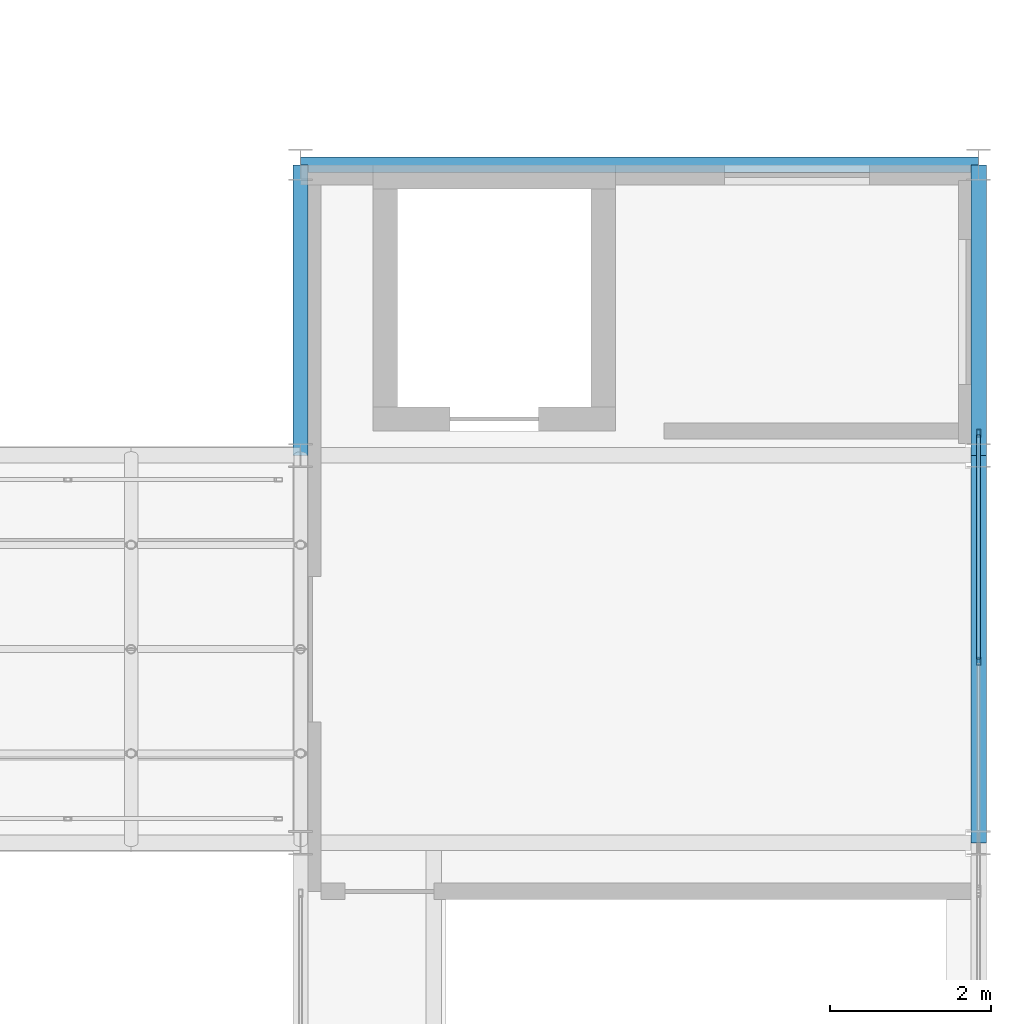
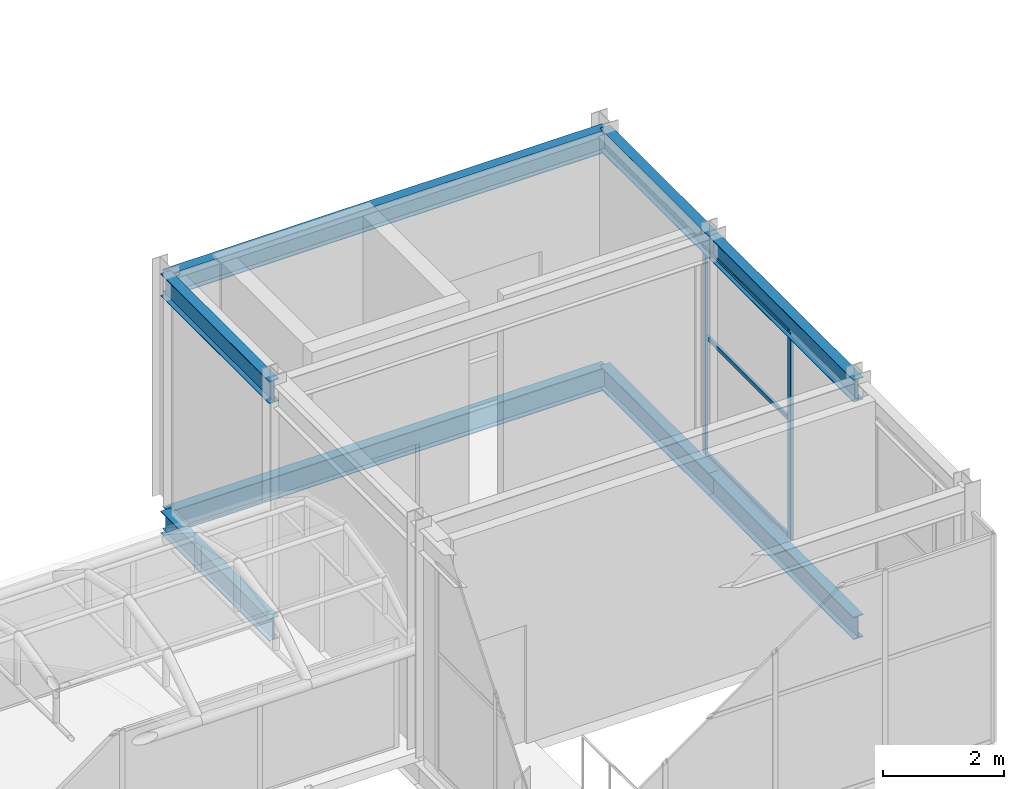
# One storey, part 107 of 167: 8 beams, 5 members, 1 element without a shape of its own.
"""IFC4 building model written with IfcOpenShell, lengths in metres."""

from ifc_helpers import new_model, si_unit, direction, frame, origin, origin_2d, place, context, subcontext, project, spatial, hollow_rectangle, i_section, extrude, material, material_profile, profile_set, type_object, element, aggregate, save


model = new_model("IFC4")

# Units and contexts
model_context = context("Model", 3, precision=1e-05, world=origin(), true_north=direction((0.0, 1.0)))
body_context = subcontext(model_context, "Body", "Model", "MODEL_VIEW")
ifc_project = project(units=[si_unit("LENGTHUNIT", "METRE"), si_unit("AREAUNIT", "SQUARE_METRE"), si_unit("VOLUMEUNIT", "CUBIC_METRE"), si_unit("PLANEANGLEUNIT", "RADIAN"), si_unit("MASSUNIT", "GRAM", prefix="KILO")], contexts=[model_context])

# Site, building, storey
site_placement = place(None, origin())
site = spatial("IfcSite", under=ifc_project, at=site_placement, CompositionType="ELEMENT")
building_placement = place(site_placement, origin())
building = spatial("IfcBuilding", under=site, at=building_placement, Name="Catenary Quay Ferry Terminal", CompositionType="ELEMENT")
storey_placement = place(building_placement, frame((0.0, 0.0, 6.0)))
storey = spatial("IfcBuildingStorey", under=building, at=storey_placement, Name="L01", CompositionType="ELEMENT", Elevation=6.0)

# Beams
ifc_material_1 = material(Name="Steel S355", Category="steel")
ifc_material_profile_1 = material_profile(ifc_material_1, i_section(OverallWidth=0.18994140625, OverallDepth=0.453369140625, WebThickness=0.008544921875, FlangeThickness=0.0126953125, at=origin_2d()), Name="UB 457x191x67")
ifc_profile_set_1 = profile_set([ifc_material_profile_1], Name="Steel S355")
beam_type = type_object("IfcBeamType", Name="B1 UB 457x191x67", PredefinedType="BEAM", material=ifc_profile_set_1)
beam_1_placement = place(storey_placement, frame((126.0, 98.39990234375, 4.373046875), z_axis=(1.0, 0.0, 0.0), x_axis=(0.0, 1.0, 0.0)))
element("IfcBeam", 1, at=beam_1_placement, inside=storey, type_object=beam_type, Name="Beam B1-046", PredefinedType="BEAM", context=body_context, shape_type="SweptSolid", body=[
    extrude(i_section(OverallWidth=0.18994140625, OverallDepth=0.453369140625, WebThickness=0.008544921875, FlangeThickness=0.0126953125, at=origin_2d()), origin(), (0.0, 0.0, 1.0), 8.39990234375),
])
beam_2_placement = place(storey_placement, frame((126.0, 94.800048828125, 4.373046875), z_axis=(0.0, 1.0, 0.0), x_axis=(-1.0, 0.0, 0.0)))
element("IfcBeam", 2, at=beam_2_placement, inside=storey, type_object=beam_type, Name="Beam B1-049", PredefinedType="BEAM", context=body_context, shape_type="SweptSolid", body=[
    extrude(i_section(OverallWidth=0.18994140625, OverallDepth=0.453369140625, WebThickness=0.008544921875, FlangeThickness=0.0126953125, at=origin_2d()), origin(), (0.0, 0.0, 1.0), 3.599853515625),
])
beam_3_placement = place(storey_placement, frame((134.39990234375, 90.0, 4.373046875), z_axis=(0.0, 1.0, 0.0), x_axis=(-1.0, 0.0, 0.0)))
element("IfcBeam", 3, at=beam_3_placement, inside=storey, type_object=beam_type, Name="Beam B1-051", PredefinedType="BEAM", context=body_context, shape_type="SweptSolid", body=[
    extrude(i_section(OverallWidth=0.18994140625, OverallDepth=0.453369140625, WebThickness=0.008544921875, FlangeThickness=0.0126953125, at=origin_2d()), origin(), (0.0, 0.0, 1.0), 4.800048828125),
])
beam_4_placement = place(storey_placement, frame((134.39990234375, 94.800048828125, 4.373046875), z_axis=(0.0, 1.0, 0.0), x_axis=(-1.0, 0.0, 0.0)))
element("IfcBeam", 4, at=beam_4_placement, inside=storey, type_object=beam_type, Name="Beam B1-052", PredefinedType="BEAM", context=body_context, shape_type="SweptSolid", body=[
    extrude(i_section(OverallWidth=0.18994140625, OverallDepth=0.453369140625, WebThickness=0.008544921875, FlangeThickness=0.0126953125, at=origin_2d()), origin(), (0.0, 0.0, 1.0), 3.599853515625),
])
beam_5_placement = place(storey_placement, frame((126.0, 98.39990234375, -0.427001953125), z_axis=(1.0, 0.0, 0.0), x_axis=(0.0, 1.0, 0.0)))
element("IfcBeam", 5, at=beam_5_placement, inside=storey, type_object=beam_type, Name="Beam B1-075", PredefinedType="BEAM", context=body_context, shape_type="SweptSolid", body=[
    extrude(i_section(OverallWidth=0.18994140625, OverallDepth=0.453369140625, WebThickness=0.008544921875, FlangeThickness=0.0126953125, at=origin_2d()), origin(), (0.0, 0.0, 1.0), 8.39990234375),
])
beam_6_placement = place(storey_placement, frame((126.0, 94.800048828125, -0.427001953125), z_axis=(0.0, 1.0, 0.0), x_axis=(-1.0, 0.0, 0.0)))
element("IfcBeam", 6, at=beam_6_placement, inside=storey, type_object=beam_type, Name="Beam B1-078", PredefinedType="BEAM", context=body_context, shape_type="SweptSolid", body=[
    extrude(i_section(OverallWidth=0.18994140625, OverallDepth=0.453369140625, WebThickness=0.008544921875, FlangeThickness=0.0126953125, at=origin_2d()), origin(), (0.0, 0.0, 1.0), 3.599853515625),
])
beam_7_placement = place(storey_placement, frame((134.39990234375, 90.0, -0.427001953125), z_axis=(0.0, 1.0, 0.0), x_axis=(-1.0, 0.0, 0.0)))
element("IfcBeam", 7, at=beam_7_placement, inside=storey, type_object=beam_type, Name="Beam B1-080", PredefinedType="BEAM", context=body_context, shape_type="SweptSolid", body=[
    extrude(i_section(OverallWidth=0.18994140625, OverallDepth=0.453369140625, WebThickness=0.008544921875, FlangeThickness=0.0126953125, at=origin_2d()), origin(), (0.0, 0.0, 1.0), 4.800048828125),
])
beam_8_placement = place(storey_placement, frame((134.39990234375, 94.800048828125, -0.427001953125), z_axis=(0.0, 1.0, 0.0), x_axis=(-1.0, 0.0, 0.0)))
element("IfcBeam", 8, at=beam_8_placement, inside=storey, type_object=beam_type, Name="Beam B1-081", PredefinedType="BEAM", context=body_context, shape_type="SweptSolid", body=[
    extrude(i_section(OverallWidth=0.18994140625, OverallDepth=0.453369140625, WebThickness=0.008544921875, FlangeThickness=0.0126953125, at=origin_2d()), origin(), (0.0, 0.0, 1.0), 3.599853515625),
])

# Curtain wall, members
ifc_material_2 = material(Name="Aluminium and glass", Category="aluminium")
curtain_wall_type = type_object("IfcCurtainWallType", Name="CWK", PredefinedType="NOTDEFINED", material=ifc_material_2)
curtain_wall_placement = place(storey_placement, origin())
curtain_wall = element("IfcCurtainWall", 9, at=curtain_wall_placement, inside=storey, type_object=curtain_wall_type, Name="Head berth 2 landing curtain wall CW91", PredefinedType="NOTDEFINED")
ifc_material_3 = material(Name="Aluminium", Category="aluminium")
ifc_material_profile_2 = material_profile(ifc_material_3, hollow_rectangle(XDim=0.050048828125, YDim=0.10009765625, WallThickness=0.0048828125, at=origin_2d()), Name="MU1")
ifc_profile_set_2 = profile_set([ifc_material_profile_2], Name="Aluminium")
member_type_1 = type_object("IfcMemberType", Name="MU1", PredefinedType="MULLION", material=ifc_profile_set_2)
member_1_placement = place(storey_placement, frame((134.39990234375, 92.25, 0.0), z_axis=(0.0, 0.0, 1.0), x_axis=(-1.0, 0.0, 0.0)))
member_1 = element("IfcMember", 10, at=member_1_placement, type_object=member_type_1, Name="CW91 mullion 2", PredefinedType="MULLION", context=body_context, shape_type="SweptSolid", body=[
    extrude(hollow_rectangle(XDim=0.050048828125, YDim=0.10009765625, WallThickness=0.0048828125, at=origin_2d()), origin(), (0.0, 0.0, 1.0), 4.199951171875),
])
member_2_placement = place(storey_placement, frame((134.39990234375, 95.074951171875, 0.0), z_axis=(0.0, 0.0, 1.0), x_axis=(-1.0, 0.0, 0.0)))
member_2 = element("IfcMember", 11, at=member_2_placement, type_object=member_type_1, Name="CW91 mullion 3", PredefinedType="MULLION", context=body_context, shape_type="SweptSolid", body=[
    extrude(hollow_rectangle(XDim=0.050048828125, YDim=0.10009765625, WallThickness=0.0048828125, at=origin_2d()), origin(), (0.0, 0.0, 1.0), 4.199951171875),
])
ifc_material_4 = material(Name="Aluminium", Category="aluminium")
ifc_material_profile_3 = material_profile(ifc_material_4, hollow_rectangle(XDim=0.050048828125, YDim=0.080078125, WallThickness=0.00390625, at=origin_2d()), Name="TR1")
ifc_profile_set_3 = profile_set([ifc_material_profile_3], Name="Aluminium")
member_type_2 = type_object("IfcMemberType", Name="TR1", PredefinedType="USERDEFINED", material=ifc_profile_set_3)
member_3_placement = place(storey_placement, frame((134.39990234375, 92.27490234375, 0.02490234375), z_axis=(0.0, 1.0, 0.0), x_axis=(-1.0, 0.0, 0.0)))
member_3 = element("IfcMember", 12, at=member_3_placement, type_object=member_type_2, Name="CW91 transom 2.1", ObjectType="TRANSOM", PredefinedType="USERDEFINED", context=body_context, shape_type="SweptSolid", body=[
    extrude(hollow_rectangle(XDim=0.050048828125, YDim=0.080078125, WallThickness=0.00390625, at=origin_2d()), origin(), (0.0, 0.0, 1.0), 2.775146484375),
])
member_4_placement = place(storey_placement, frame((134.39990234375, 92.27490234375, 2.39990234375), z_axis=(0.0, 1.0, 0.0), x_axis=(-1.0, 0.0, 0.0)))
member_4 = element("IfcMember", 13, at=member_4_placement, type_object=member_type_2, Name="CW91 transom 2.2", ObjectType="TRANSOM", PredefinedType="USERDEFINED", context=body_context, shape_type="SweptSolid", body=[
    extrude(hollow_rectangle(XDim=0.050048828125, YDim=0.080078125, WallThickness=0.00390625, at=origin_2d()), origin(), (0.0, 0.0, 1.0), 2.775146484375),
])
member_5_placement = place(storey_placement, frame((134.39990234375, 92.27490234375, 4.175048828125), z_axis=(0.0, 1.0, 0.0), x_axis=(-1.0, 0.0, 0.0)))
member_5 = element("IfcMember", 14, at=member_5_placement, type_object=member_type_2, Name="CW91 transom 2.3", ObjectType="TRANSOM", PredefinedType="USERDEFINED", context=body_context, shape_type="SweptSolid", body=[
    extrude(hollow_rectangle(XDim=0.050048828125, YDim=0.080078125, WallThickness=0.00390625, at=origin_2d()), origin(), (0.0, 0.0, 1.0), 2.775146484375),
])
aggregate(curtain_wall, [member_1, member_2, member_3, member_4, member_5])

save(model, "model.ifc")
